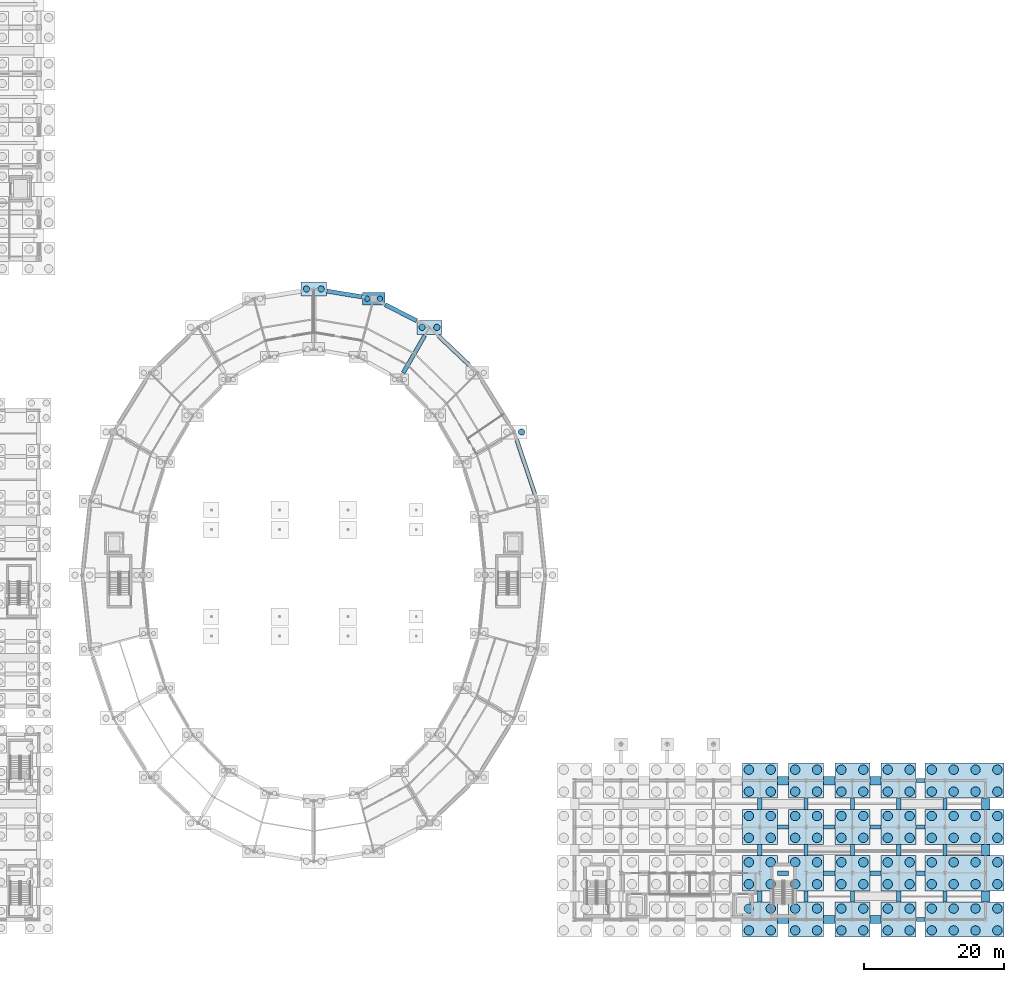
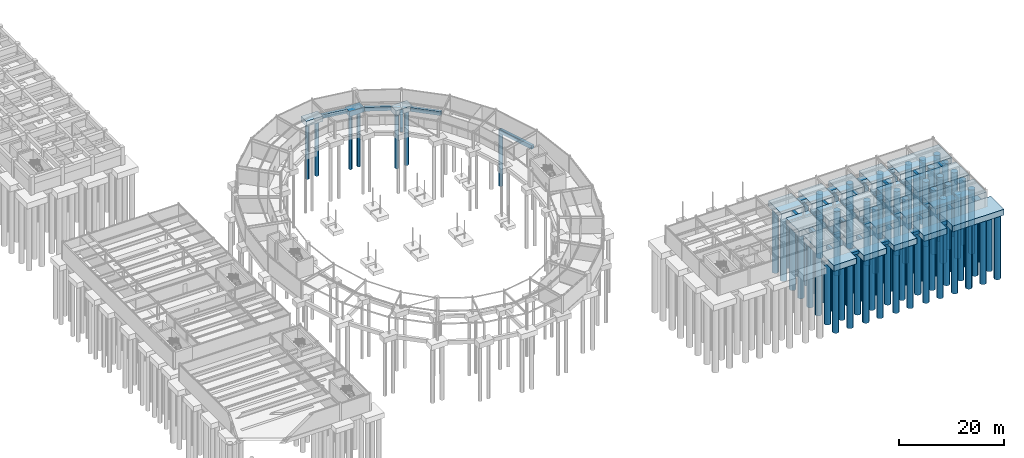
# One storey, part 6 of 58: 103 piles, 62 footings.
"""IFC4 building model written with IfcOpenShell, lengths in metres."""

from ifc_helpers import new_model, si_unit, direction, frame, origin, origin_2d, place, context, subcontext, project, spatial, rectangle, circle, extrude, material, material_profile, profile_set, type_object, element, save


model = new_model("IFC4")

# Units and contexts
model_context = context("Model", 3, precision=1e-05, world=origin(), true_north=direction((0.0, 1.0)))
body_context = subcontext(model_context, "Body", "Model", "MODEL_VIEW")
ifc_project = project(units=[si_unit("LENGTHUNIT", "METRE"), si_unit("AREAUNIT", "SQUARE_METRE"), si_unit("VOLUMEUNIT", "CUBIC_METRE"), si_unit("PLANEANGLEUNIT", "RADIAN"), si_unit("MASSUNIT", "GRAM", prefix="KILO")], contexts=[model_context])

# Site, building, storey
site_placement = place(None, origin())
site = spatial("IfcSite", under=ifc_project, at=site_placement, CompositionType="ELEMENT")
building_placement = place(site_placement, origin())
building = spatial("IfcBuilding", under=site, at=building_placement, Name="Karori Crest Natural Sciences Institute", CompositionType="ELEMENT")
storey_placement = place(building_placement, frame((0.0, 0.0, -4.199951171875)))
storey = spatial("IfcBuildingStorey", under=building, at=storey_placement, Name="B1", CompositionType="ELEMENT", Elevation=-4.199951171875)

# Footings
ifc_material = material(Name="Concrete 40 MPa", Category="concrete")
footing_type_1 = type_object("IfcFootingType", Name="FT-06", PredefinedType="PILE_CAP", material=ifc_material)
for number, where, z_axis, x_axis, name in (
    (1, (159.199951171875, 0.800048828125, -1.35009765625), (0.0, 0.0, 1.0), (1.0, 0.0, 0.0), "Pile cap PC-0188"),
    (2, (159.199951171875, 7.39990234375, -1.35009765625), (0.0, 0.0, 1.0), (1.0, 0.0, 0.0), "Pile cap PC-0189"),
    (3, (159.199951171875, 14.0, -1.35009765625), (0.0, 0.0, 1.0), (1.0, 0.0, 0.0), "Pile cap PC-0190"),
    (4, (159.199951171875, 20.60009765625, -1.35009765625), (0.0, 0.0, 1.0), (1.0, 0.0, 0.0), "Pile cap PC-0191"),
):
    element("IfcFooting", number, at=place(storey_placement, frame(where, z_axis=z_axis, x_axis=x_axis)), inside=storey, type_object=footing_type_1, Name=name, PredefinedType="PILE_CAP", context=body_context, shape_type="SweptSolid", body=[
        extrude(rectangle(XDim=11.239990234375, YDim=5.0, at=origin_2d()), origin(), (0.0, 0.0, 1.0), 1.35009765625),
    ])
footing_type_2 = type_object("IfcFootingType", Name="FT-07", PredefinedType="PILE_CAP", material=ifc_material)
footing_1_placement = place(storey_placement, frame((74.94091796875, 89.309814453125, -1.2001953125), z_axis=(0.0, 0.0, 1.0), x_axis=(1.0, 0.0, 0.0)))
element("IfcFooting", 5, at=footing_1_placement, inside=storey, type_object=footing_type_2, Name="Pile cap PC-0011", PredefinedType="PILE_CAP", context=body_context, shape_type="SweptSolid", body=[
    extrude(rectangle(XDim=3.199951171875, YDim=1.800048828125, at=origin_2d()), origin(), (0.0, 0.0, 1.0), 1.199951171875),
])
footing_type_3 = type_object("IfcFootingType", Name="FT-08", PredefinedType="PILE_CAP", material=ifc_material)
for number, where, z_axis, x_axis, name in (
    (6, (82.89990234375, 85.23388671875, -1.2001953125), (0.0, 0.0, 1.0), (1.0, 0.0, 0.0), "Pile cap PC-0009"),
    (7, (66.39990234375, 90.699951171875, -1.2001953125), (0.0, 0.0, 1.0), (1.0, 0.0, 0.0), "Pile cap PC-0013"),
):
    element("IfcFooting", number, at=place(storey_placement, frame(where, z_axis=z_axis, x_axis=x_axis)), inside=storey, type_object=footing_type_3, Name=name, PredefinedType="PILE_CAP", context=body_context, shape_type="SweptSolid", body=[
        extrude(rectangle(XDim=3.60009765625, YDim=2.0, at=origin_2d()), origin(), (0.0, 0.0, 1.0), 1.199951171875),
    ])
footing_type_4 = type_object("IfcFootingType", Name="FT-12", PredefinedType="PILE_CAP", material=ifc_material)
for number, where, z_axis, x_axis, name in (
    (8, (130.0, 0.800048828125, -1.35009765625), (0.0, 0.0, 1.0), (1.0, 0.0, 0.0), "Pile cap PC-0172"),
    (9, (130.0, 7.39990234375, -1.35009765625), (0.0, 0.0, 1.0), (1.0, 0.0, 0.0), "Pile cap PC-0173"),
    (10, (130.0, 14.0, -1.35009765625), (0.0, 0.0, 1.0), (1.0, 0.0, 0.0), "Pile cap PC-0174"),
    (11, (130.0, 20.60009765625, -1.35009765625), (0.0, 0.0, 1.0), (1.0, 0.0, 0.0), "Pile cap PC-0175"),
    (12, (136.60009765625, 0.800048828125, -1.35009765625), (0.0, 0.0, 1.0), (1.0, 0.0, 0.0), "Pile cap PC-0176"),
    (13, (136.60009765625, 7.39990234375, -1.35009765625), (0.0, 0.0, 1.0), (1.0, 0.0, 0.0), "Pile cap PC-0177"),
    (14, (136.60009765625, 14.0, -1.35009765625), (0.0, 0.0, 1.0), (1.0, 0.0, 0.0), "Pile cap PC-0178"),
    (15, (136.60009765625, 20.60009765625, -1.35009765625), (0.0, 0.0, 1.0), (1.0, 0.0, 0.0), "Pile cap PC-0179"),
    (16, (143.199951171875, 0.800048828125, -1.35009765625), (0.0, 0.0, 1.0), (1.0, 0.0, 0.0), "Pile cap PC-0180"),
    (17, (143.199951171875, 7.39990234375, -1.35009765625), (0.0, 0.0, 1.0), (1.0, 0.0, 0.0), "Pile cap PC-0181"),
    (18, (143.199951171875, 14.0, -1.35009765625), (0.0, 0.0, 1.0), (1.0, 0.0, 0.0), "Pile cap PC-0182"),
    (19, (143.199951171875, 20.60009765625, -1.35009765625), (0.0, 0.0, 1.0), (1.0, 0.0, 0.0), "Pile cap PC-0183"),
    (20, (149.800048828125, 0.800048828125, -1.35009765625), (0.0, 0.0, 1.0), (1.0, 0.0, 0.0), "Pile cap PC-0184"),
    (21, (149.800048828125, 7.39990234375, -1.35009765625), (0.0, 0.0, 1.0), (1.0, 0.0, 0.0), "Pile cap PC-0185"),
    (22, (149.800048828125, 14.0, -1.35009765625), (0.0, 0.0, 1.0), (1.0, 0.0, 0.0), "Pile cap PC-0186"),
    (23, (149.800048828125, 20.60009765625, -1.35009765625), (0.0, 0.0, 1.0), (1.0, 0.0, 0.0), "Pile cap PC-0187"),
):
    element("IfcFooting", number, at=place(storey_placement, frame(where, z_axis=z_axis, x_axis=x_axis)), inside=storey, type_object=footing_type_4, Name=name, PredefinedType="PILE_CAP", context=body_context, shape_type="SweptSolid", body=[
        extrude(rectangle(XDim=5.0, YDim=5.0, at=origin_2d()), origin(), (0.0, 0.0, 1.0), 1.35009765625),
    ])
footing_type_5 = type_object("IfcFootingType", Name="FT-16", PredefinedType="FOOTING_BEAM", material=ifc_material)
footing_2_placement = place(storey_placement, frame((96.64404296875, 65.329833984375, -0.89990234375), z_axis=(0.0, 0.0, 1.0), x_axis=(-0.317678692677, 0.948198422388, 0.0)))
element("IfcFooting", 24, at=footing_2_placement, inside=storey, type_object=footing_type_5, Name="Ground beam FB-0004", PredefinedType="FOOTING_BEAM", context=body_context, shape_type="SweptSolid", body=[
    extrude(rectangle(XDim=8.13720703125, YDim=0.60009765625, at=origin_2d()), origin(), (0.0, 0.0, 1.0), 0.89990234375),
])
footing_3_placement = place(storey_placement, frame((86.3701171875, 81.94189453125, -0.89990234375), z_axis=(0.0, 0.0, 1.0), x_axis=(-0.725475281268, 0.688248222859, 0.0)))
element("IfcFooting", 25, at=footing_3_placement, inside=storey, type_object=footing_type_5, Name="Ground beam FB-0009", PredefinedType="FOOTING_BEAM", context=body_context, shape_type="SweptSolid", body=[
    extrude(rectangle(XDim=5.996826171875, YDim=0.60009765625, at=origin_2d()), origin(), (0.0, 0.0, 1.0), 0.89990234375),
])
footing_4_placement = place(storey_placement, frame((78.820556640625, 87.322998046875, -0.89990234375), z_axis=(0.0, 0.0, 1.0), x_axis=(-0.890068851465, 0.455826106813, 0.0)))
element("IfcFooting", 26, at=footing_4_placement, inside=storey, type_object=footing_type_5, Name="Ground beam FB-0011", PredefinedType="FOOTING_BEAM", context=body_context, shape_type="SweptSolid", body=[
    extrude(rectangle(XDim=5.024169921875, YDim=0.60009765625, at=origin_2d()), origin(), (0.0, 0.0, 1.0), 0.89990234375),
])
footing_5_placement = place(storey_placement, frame((80.6923828125, 81.409912109375, -0.89990234375), z_axis=(0.0, 0.0, 1.0), x_axis=(0.500001511499, 0.866024531118, 0.0)))
element("IfcFooting", 27, at=footing_5_placement, inside=storey, type_object=footing_type_5, Name="Ground beam FB-0013", PredefinedType="FOOTING_BEAM", context=body_context, shape_type="SweptSolid", body=[
    extrude(rectangle(XDim=6.14306640625, YDim=0.60009765625, at=origin_2d()), origin(), (0.0, 0.0, 1.0), 0.89990234375),
])
footing_6_placement = place(storey_placement, frame((70.7705078125, 89.988525390625, -0.89990234375), z_axis=(0.0, 0.0, 1.0), x_axis=(-0.987010951028, 0.160652987993, 0.0)))
element("IfcFooting", 28, at=footing_6_placement, inside=storey, type_object=footing_type_5, Name="Ground beam FB-0014", PredefinedType="FOOTING_BEAM", context=body_context, shape_type="SweptSolid", body=[
    extrude(rectangle(XDim=5.09228515625, YDim=0.60009765625, at=origin_2d()), origin(), (0.0, 0.0, 1.0), 0.89990234375),
])
for number, where, z_axis, x_axis, name in (
    (29, (130.0, 4.10009765625, -0.89990234375), (0.0, 0.0, 1.0), (0.0, 1.0, 0.0), "Ground beam FB-0197"),
    (30, (133.300048828125, 7.39990234375, -0.89990234375), (0.0, 0.0, 1.0), (1.0, 0.0, 0.0), "Ground beam FB-0198"),
):
    element("IfcFooting", number, at=place(storey_placement, frame(where, z_axis=z_axis, x_axis=x_axis)), inside=storey, type_object=footing_type_5, Name=name, PredefinedType="FOOTING_BEAM", context=body_context, shape_type="SweptSolid", body=[
        extrude(rectangle(XDim=1.583984375, YDim=0.60009765625, at=origin_2d()), origin(), (0.0, 0.0, 1.0), 0.89990234375),
    ])
footing_7_placement = place(storey_placement, frame((130.0, 10.699951171875, -0.89990234375), z_axis=(0.0, 0.0, 1.0), x_axis=(0.0, 1.0, 0.0)))
element("IfcFooting", 31, at=footing_7_placement, inside=storey, type_object=footing_type_5, Name="Ground beam FB-0199", PredefinedType="FOOTING_BEAM", context=body_context, shape_type="SweptSolid", body=[
    extrude(rectangle(XDim=1.56396484375, YDim=0.60009765625, at=origin_2d()), origin(), (0.0, 0.0, 1.0), 0.89990234375),
])
footing_8_placement = place(storey_placement, frame((133.300048828125, 14.0, -0.89990234375), z_axis=(0.0, 0.0, 1.0), x_axis=(1.0, 0.0, 0.0)))
element("IfcFooting", 32, at=footing_8_placement, inside=storey, type_object=footing_type_5, Name="Ground beam FB-0200", PredefinedType="FOOTING_BEAM", context=body_context, shape_type="SweptSolid", body=[
    extrude(rectangle(XDim=1.583984375, YDim=0.60009765625, at=origin_2d()), origin(), (0.0, 0.0, 1.0), 0.89990234375),
])
footing_9_placement = place(storey_placement, frame((130.0, 17.300048828125, -0.89990234375), z_axis=(0.0, 0.0, 1.0), x_axis=(0.0, 1.0, 0.0)))
element("IfcFooting", 33, at=footing_9_placement, inside=storey, type_object=footing_type_5, Name="Ground beam FB-0201", PredefinedType="FOOTING_BEAM", context=body_context, shape_type="SweptSolid", body=[
    extrude(rectangle(XDim=1.56396484375, YDim=0.60009765625, at=origin_2d()), origin(), (0.0, 0.0, 1.0), 0.89990234375),
])
for number, where, z_axis, x_axis, name in (
    (34, (136.60009765625, 4.10009765625, -0.89990234375), (0.0, 0.0, 1.0), (0.0, 1.0, 0.0), "Ground beam FB-0202"),
    (35, (139.89990234375, 7.39990234375, -0.89990234375), (0.0, 0.0, 1.0), (1.0, 0.0, 0.0), "Ground beam FB-0203"),
):
    element("IfcFooting", number, at=place(storey_placement, frame(where, z_axis=z_axis, x_axis=x_axis)), inside=storey, type_object=footing_type_5, Name=name, PredefinedType="FOOTING_BEAM", context=body_context, shape_type="SweptSolid", body=[
        extrude(rectangle(XDim=1.583984375, YDim=0.60009765625, at=origin_2d()), origin(), (0.0, 0.0, 1.0), 0.89990234375),
    ])
footing_10_placement = place(storey_placement, frame((136.60009765625, 10.699951171875, -0.89990234375), z_axis=(0.0, 0.0, 1.0), x_axis=(0.0, 1.0, 0.0)))
element("IfcFooting", 36, at=footing_10_placement, inside=storey, type_object=footing_type_5, Name="Ground beam FB-0204", PredefinedType="FOOTING_BEAM", context=body_context, shape_type="SweptSolid", body=[
    extrude(rectangle(XDim=1.56396484375, YDim=0.60009765625, at=origin_2d()), origin(), (0.0, 0.0, 1.0), 0.89990234375),
])
footing_11_placement = place(storey_placement, frame((139.89990234375, 14.0, -0.89990234375), z_axis=(0.0, 0.0, 1.0), x_axis=(1.0, 0.0, 0.0)))
element("IfcFooting", 37, at=footing_11_placement, inside=storey, type_object=footing_type_5, Name="Ground beam FB-0205", PredefinedType="FOOTING_BEAM", context=body_context, shape_type="SweptSolid", body=[
    extrude(rectangle(XDim=1.583984375, YDim=0.60009765625, at=origin_2d()), origin(), (0.0, 0.0, 1.0), 0.89990234375),
])
footing_12_placement = place(storey_placement, frame((136.60009765625, 17.300048828125, -0.89990234375), z_axis=(0.0, 0.0, 1.0), x_axis=(0.0, 1.0, 0.0)))
element("IfcFooting", 38, at=footing_12_placement, inside=storey, type_object=footing_type_5, Name="Ground beam FB-0206", PredefinedType="FOOTING_BEAM", context=body_context, shape_type="SweptSolid", body=[
    extrude(rectangle(XDim=1.56396484375, YDim=0.60009765625, at=origin_2d()), origin(), (0.0, 0.0, 1.0), 0.89990234375),
])
for number, where, z_axis, x_axis, name in (
    (39, (143.199951171875, 4.10009765625, -0.89990234375), (0.0, 0.0, 1.0), (0.0, 1.0, 0.0), "Ground beam FB-0207"),
    (40, (146.5, 7.39990234375, -0.89990234375), (0.0, 0.0, 1.0), (1.0, 0.0, 0.0), "Ground beam FB-0208"),
):
    element("IfcFooting", number, at=place(storey_placement, frame(where, z_axis=z_axis, x_axis=x_axis)), inside=storey, type_object=footing_type_5, Name=name, PredefinedType="FOOTING_BEAM", context=body_context, shape_type="SweptSolid", body=[
        extrude(rectangle(XDim=1.583984375, YDim=0.60009765625, at=origin_2d()), origin(), (0.0, 0.0, 1.0), 0.89990234375),
    ])
footing_13_placement = place(storey_placement, frame((143.199951171875, 10.699951171875, -0.89990234375), z_axis=(0.0, 0.0, 1.0), x_axis=(0.0, 1.0, 0.0)))
element("IfcFooting", 41, at=footing_13_placement, inside=storey, type_object=footing_type_5, Name="Ground beam FB-0209", PredefinedType="FOOTING_BEAM", context=body_context, shape_type="SweptSolid", body=[
    extrude(rectangle(XDim=1.56396484375, YDim=0.60009765625, at=origin_2d()), origin(), (0.0, 0.0, 1.0), 0.89990234375),
])
footing_14_placement = place(storey_placement, frame((146.5, 14.0, -0.89990234375), z_axis=(0.0, 0.0, 1.0), x_axis=(1.0, 0.0, 0.0)))
element("IfcFooting", 42, at=footing_14_placement, inside=storey, type_object=footing_type_5, Name="Ground beam FB-0210", PredefinedType="FOOTING_BEAM", context=body_context, shape_type="SweptSolid", body=[
    extrude(rectangle(XDim=1.583984375, YDim=0.60009765625, at=origin_2d()), origin(), (0.0, 0.0, 1.0), 0.89990234375),
])
footing_15_placement = place(storey_placement, frame((143.199951171875, 17.300048828125, -0.89990234375), z_axis=(0.0, 0.0, 1.0), x_axis=(0.0, 1.0, 0.0)))
element("IfcFooting", 43, at=footing_15_placement, inside=storey, type_object=footing_type_5, Name="Ground beam FB-0211", PredefinedType="FOOTING_BEAM", context=body_context, shape_type="SweptSolid", body=[
    extrude(rectangle(XDim=1.56396484375, YDim=0.60009765625, at=origin_2d()), origin(), (0.0, 0.0, 1.0), 0.89990234375),
])
footing_16_placement = place(storey_placement, frame((152.93994140625, 0.800048828125, -0.89990234375), z_axis=(0.0, 0.0, 1.0), x_axis=(1.0, 0.0, 0.0)))
element("IfcFooting", 44, at=footing_16_placement, inside=storey, type_object=footing_type_5, Name="Ground beam FB-0212", PredefinedType="FOOTING_BEAM", context=body_context, shape_type="SweptSolid", body=[
    extrude(rectangle(XDim=1.263916015625, YDim=0.60009765625, at=origin_2d()), origin(), (0.0, 0.0, 1.0), 0.89990234375),
])
footing_17_placement = place(storey_placement, frame((149.800048828125, 4.10009765625, -0.89990234375), z_axis=(0.0, 0.0, 1.0), x_axis=(0.0, 1.0, 0.0)))
element("IfcFooting", 45, at=footing_17_placement, inside=storey, type_object=footing_type_5, Name="Ground beam FB-0213", PredefinedType="FOOTING_BEAM", context=body_context, shape_type="SweptSolid", body=[
    extrude(rectangle(XDim=1.583984375, YDim=0.60009765625, at=origin_2d()), origin(), (0.0, 0.0, 1.0), 0.89990234375),
])
footing_18_placement = place(storey_placement, frame((152.93994140625, 7.39990234375, -0.89990234375), z_axis=(0.0, 0.0, 1.0), x_axis=(1.0, 0.0, 0.0)))
element("IfcFooting", 46, at=footing_18_placement, inside=storey, type_object=footing_type_5, Name="Ground beam FB-0214", PredefinedType="FOOTING_BEAM", context=body_context, shape_type="SweptSolid", body=[
    extrude(rectangle(XDim=1.263916015625, YDim=0.60009765625, at=origin_2d()), origin(), (0.0, 0.0, 1.0), 0.89990234375),
])
footing_19_placement = place(storey_placement, frame((149.800048828125, 10.699951171875, -0.89990234375), z_axis=(0.0, 0.0, 1.0), x_axis=(0.0, 1.0, 0.0)))
element("IfcFooting", 47, at=footing_19_placement, inside=storey, type_object=footing_type_5, Name="Ground beam FB-0215", PredefinedType="FOOTING_BEAM", context=body_context, shape_type="SweptSolid", body=[
    extrude(rectangle(XDim=1.56396484375, YDim=0.60009765625, at=origin_2d()), origin(), (0.0, 0.0, 1.0), 0.89990234375),
])
footing_20_placement = place(storey_placement, frame((152.93994140625, 14.0, -0.89990234375), z_axis=(0.0, 0.0, 1.0), x_axis=(1.0, 0.0, 0.0)))
element("IfcFooting", 48, at=footing_20_placement, inside=storey, type_object=footing_type_5, Name="Ground beam FB-0216", PredefinedType="FOOTING_BEAM", context=body_context, shape_type="SweptSolid", body=[
    extrude(rectangle(XDim=1.263916015625, YDim=0.60009765625, at=origin_2d()), origin(), (0.0, 0.0, 1.0), 0.89990234375),
])
footing_21_placement = place(storey_placement, frame((149.800048828125, 17.300048828125, -0.89990234375), z_axis=(0.0, 0.0, 1.0), x_axis=(0.0, 1.0, 0.0)))
element("IfcFooting", 49, at=footing_21_placement, inside=storey, type_object=footing_type_5, Name="Ground beam FB-0217", PredefinedType="FOOTING_BEAM", context=body_context, shape_type="SweptSolid", body=[
    extrude(rectangle(XDim=1.56396484375, YDim=0.60009765625, at=origin_2d()), origin(), (0.0, 0.0, 1.0), 0.89990234375),
])
footing_22_placement = place(storey_placement, frame((152.93994140625, 20.60009765625, -0.89990234375), z_axis=(0.0, 0.0, 1.0), x_axis=(1.0, 0.0, 0.0)))
element("IfcFooting", 50, at=footing_22_placement, inside=storey, type_object=footing_type_5, Name="Ground beam FB-0218", PredefinedType="FOOTING_BEAM", context=body_context, shape_type="SweptSolid", body=[
    extrude(rectangle(XDim=1.263916015625, YDim=0.60009765625, at=origin_2d()), origin(), (0.0, 0.0, 1.0), 0.89990234375),
])
footing_23_placement = place(storey_placement, frame((156.39990234375, 4.10009765625, -0.89990234375), z_axis=(0.0, 0.0, 1.0), x_axis=(0.0, 1.0, 0.0)))
element("IfcFooting", 51, at=footing_23_placement, inside=storey, type_object=footing_type_5, Name="Ground beam FB-0219", PredefinedType="FOOTING_BEAM", context=body_context, shape_type="SweptSolid", body=[
    extrude(rectangle(XDim=1.583984375, YDim=0.60009765625, at=origin_2d()), origin(), (0.0, 0.0, 1.0), 0.89990234375),
])
for number, where, z_axis, x_axis, name in (
    (52, (156.39990234375, 10.699951171875, -0.89990234375), (0.0, 0.0, 1.0), (0.0, 1.0, 0.0), "Ground beam FB-0220"),
    (53, (156.39990234375, 17.300048828125, -0.89990234375), (0.0, 0.0, 1.0), (0.0, 1.0, 0.0), "Ground beam FB-0221"),
):
    element("IfcFooting", number, at=place(storey_placement, frame(where, z_axis=z_axis, x_axis=x_axis)), inside=storey, type_object=footing_type_5, Name=name, PredefinedType="FOOTING_BEAM", context=body_context, shape_type="SweptSolid", body=[
        extrude(rectangle(XDim=1.56396484375, YDim=0.60009765625, at=origin_2d()), origin(), (0.0, 0.0, 1.0), 0.89990234375),
    ])
footing_type_6 = type_object("IfcFootingType", Name="FT-19", PredefinedType="STRIP_FOOTING", material=ifc_material)
for number, where, z_axis, x_axis, name in (
    (54, (133.300048828125, 0.800048828125, -0.7001953125), (0.0, 0.0, 1.0), (1.0, 0.0, 0.0), "Strip footing SF-0005"),
    (55, (139.89990234375, 0.800048828125, -0.7001953125), (0.0, 0.0, 1.0), (1.0, 0.0, 0.0), "Strip footing SF-0006"),
    (56, (146.5, 0.800048828125, -0.7001953125), (0.0, 0.0, 1.0), (1.0, 0.0, 0.0), "Strip footing SF-0007"),
    (57, (133.300048828125, 20.60009765625, -0.7001953125), (0.0, 0.0, 1.0), (1.0, 0.0, 0.0), "Strip footing SF-0012"),
    (58, (139.89990234375, 20.60009765625, -0.7001953125), (0.0, 0.0, 1.0), (1.0, 0.0, 0.0), "Strip footing SF-0013"),
    (59, (146.5, 20.60009765625, -0.7001953125), (0.0, 0.0, 1.0), (1.0, 0.0, 0.0), "Strip footing SF-0014"),
    (60, (162.199951171875, 4.10009765625, -0.7001953125), (0.0, 0.0, 1.0), (0.0, 1.0, 0.0), "Strip footing SF-0018"),
):
    element("IfcFooting", number, at=place(storey_placement, frame(where, z_axis=z_axis, x_axis=x_axis)), inside=storey, type_object=footing_type_6, Name=name, PredefinedType="STRIP_FOOTING", context=body_context, shape_type="SweptSolid", body=[
        extrude(rectangle(XDim=1.583984375, YDim=1.199951171875, at=origin_2d()), origin(), (0.0, 0.0, 1.0), 0.699951171875),
    ])
for number, where, z_axis, x_axis, name in (
    (61, (162.199951171875, 10.699951171875, -0.7001953125), (0.0, 0.0, 1.0), (0.0, 1.0, 0.0), "Strip footing SF-0019"),
    (62, (162.199951171875, 17.300048828125, -0.7001953125), (0.0, 0.0, 1.0), (0.0, 1.0, 0.0), "Strip footing SF-0020"),
):
    element("IfcFooting", number, at=place(storey_placement, frame(where, z_axis=z_axis, x_axis=x_axis)), inside=storey, type_object=footing_type_6, Name=name, PredefinedType="STRIP_FOOTING", context=body_context, shape_type="SweptSolid", body=[
        extrude(rectangle(XDim=1.56396484375, YDim=1.199951171875, at=origin_2d()), origin(), (0.0, 0.0, 1.0), 0.699951171875),
    ])

# Piles
ifc_material_profile_1 = material_profile(ifc_material, circle(Radius=0.375, at=origin_2d()), Name="PILE750")
ifc_profile_set_1 = profile_set([ifc_material_profile_1], Name="Concrete 40 MPa")
pile_type_1 = type_object("IfcPileType", Name="PT-02", PredefinedType="BORED", material=ifc_profile_set_1)
for number, where, z_axis, x_axis, name in (
    (63, (74.041015625, 89.309814453125, -1.10009765625), (0.0, 0.0, -1.0), (1.0, 0.0, 0.0), "Bored pile PL-0021"),
    (64, (75.841064453125, 89.309814453125, -1.10009765625), (0.0, 0.0, -1.0), (1.0, 0.0, 0.0), "Bored pile PL-0022"),
):
    element("IfcPile", number, at=place(storey_placement, frame(where, z_axis=z_axis, x_axis=x_axis)), inside=storey, type_object=pile_type_1, Name=name, PredefinedType="BORED", context=body_context, shape_type="SweptSolid", body=[
        extrude(circle(Radius=0.375, at=origin_2d()), origin(), (0.0, 0.0, 1.0), 12.89990234375),
    ])
ifc_material_profile_2 = material_profile(ifc_material, circle(Radius=0.449951171875, at=origin_2d()), Name="PILE900")
ifc_profile_set_2 = profile_set([ifc_material_profile_2], Name="Concrete 40 MPa")
pile_type_2 = type_object("IfcPileType", Name="PT-03", PredefinedType="BORED", material=ifc_profile_set_2)
for number, where, z_axis, x_axis, name in (
    (65, (96.02880859375, 70.300048828125, -1.10009765625), (0.0, 0.0, -1.0), (1.0, 0.0, 0.0), "Bored pile PL-0010"),
    (66, (81.85009765625, 85.23388671875, -1.10009765625), (0.0, 0.0, -1.0), (1.0, 0.0, 0.0), "Bored pile PL-0017"),
    (67, (83.949951171875, 85.23388671875, -1.10009765625), (0.0, 0.0, -1.0), (1.0, 0.0, 0.0), "Bored pile PL-0018"),
    (68, (65.35009765625, 90.699951171875, -1.10009765625), (0.0, 0.0, -1.0), (1.0, 0.0, 0.0), "Bored pile PL-0025"),
    (69, (67.449951171875, 90.699951171875, -1.10009765625), (0.0, 0.0, -1.0), (1.0, 0.0, 0.0), "Bored pile PL-0026"),
):
    element("IfcPile", number, at=place(storey_placement, frame(where, z_axis=z_axis, x_axis=x_axis)), inside=storey, type_object=pile_type_2, Name=name, PredefinedType="BORED", context=body_context, shape_type="SweptSolid", body=[
        extrude(circle(Radius=0.449951171875, at=origin_2d()), origin(), (0.0, 0.0, 1.0), 12.89990234375),
    ])
ifc_material_profile_3 = material_profile(ifc_material, circle(Radius=0.675048828125, at=origin_2d()), Name="PILE1350")
ifc_profile_set_3 = profile_set([ifc_material_profile_3], Name="Concrete 40 MPa")
pile_type_3 = type_object("IfcPileType", Name="PT-06", PredefinedType="BORED", material=ifc_profile_set_3)
for number, where, z_axis, x_axis, name in (
    (70, (128.43994140625, -0.760009765625, -1.25), (0.0, 0.0, -1.0), (1.0, 0.0, 0.0), "Bored pile PL-0525"),
    (71, (131.56005859375, -0.760009765625, -1.25), (0.0, 0.0, -1.0), (1.0, 0.0, 0.0), "Bored pile PL-0526"),
    (72, (128.43994140625, 2.360107421875, -1.25), (0.0, 0.0, -1.0), (1.0, 0.0, 0.0), "Bored pile PL-0527"),
    (73, (131.56005859375, 2.360107421875, -1.25), (0.0, 0.0, -1.0), (1.0, 0.0, 0.0), "Bored pile PL-0528"),
    (74, (128.43994140625, 5.840087890625, -1.25), (0.0, 0.0, -1.0), (1.0, 0.0, 0.0), "Bored pile PL-0529"),
    (75, (131.56005859375, 5.840087890625, -1.25), (0.0, 0.0, -1.0), (1.0, 0.0, 0.0), "Bored pile PL-0530"),
    (76, (128.43994140625, 8.9599609375, -1.25), (0.0, 0.0, -1.0), (1.0, 0.0, 0.0), "Bored pile PL-0531"),
    (77, (131.56005859375, 8.9599609375, -1.25), (0.0, 0.0, -1.0), (1.0, 0.0, 0.0), "Bored pile PL-0532"),
    (78, (128.43994140625, 12.43994140625, -1.25), (0.0, 0.0, -1.0), (1.0, 0.0, 0.0), "Bored pile PL-0533"),
    (79, (131.56005859375, 12.43994140625, -1.25), (0.0, 0.0, -1.0), (1.0, 0.0, 0.0), "Bored pile PL-0534"),
    (80, (128.43994140625, 15.56005859375, -1.25), (0.0, 0.0, -1.0), (1.0, 0.0, 0.0), "Bored pile PL-0535"),
    (81, (131.56005859375, 15.56005859375, -1.25), (0.0, 0.0, -1.0), (1.0, 0.0, 0.0), "Bored pile PL-0536"),
    (82, (128.43994140625, 19.0400390625, -1.25), (0.0, 0.0, -1.0), (1.0, 0.0, 0.0), "Bored pile PL-0537"),
    (83, (131.56005859375, 19.0400390625, -1.25), (0.0, 0.0, -1.0), (1.0, 0.0, 0.0), "Bored pile PL-0538"),
    (84, (128.43994140625, 22.159912109375, -1.25), (0.0, 0.0, -1.0), (1.0, 0.0, 0.0), "Bored pile PL-0539"),
    (85, (131.56005859375, 22.159912109375, -1.25), (0.0, 0.0, -1.0), (1.0, 0.0, 0.0), "Bored pile PL-0540"),
    (86, (135.0400390625, -0.760009765625, -1.25), (0.0, 0.0, -1.0), (1.0, 0.0, 0.0), "Bored pile PL-0541"),
    (87, (138.159912109375, -0.760009765625, -1.25), (0.0, 0.0, -1.0), (1.0, 0.0, 0.0), "Bored pile PL-0542"),
    (88, (135.0400390625, 2.360107421875, -1.25), (0.0, 0.0, -1.0), (1.0, 0.0, 0.0), "Bored pile PL-0543"),
    (89, (138.159912109375, 2.360107421875, -1.25), (0.0, 0.0, -1.0), (1.0, 0.0, 0.0), "Bored pile PL-0544"),
    (90, (135.0400390625, 5.840087890625, -1.25), (0.0, 0.0, -1.0), (1.0, 0.0, 0.0), "Bored pile PL-0545"),
    (91, (138.159912109375, 5.840087890625, -1.25), (0.0, 0.0, -1.0), (1.0, 0.0, 0.0), "Bored pile PL-0546"),
    (92, (135.0400390625, 8.9599609375, -1.25), (0.0, 0.0, -1.0), (1.0, 0.0, 0.0), "Bored pile PL-0547"),
    (93, (138.159912109375, 8.9599609375, -1.25), (0.0, 0.0, -1.0), (1.0, 0.0, 0.0), "Bored pile PL-0548"),
    (94, (135.0400390625, 12.43994140625, -1.25), (0.0, 0.0, -1.0), (1.0, 0.0, 0.0), "Bored pile PL-0549"),
    (95, (138.159912109375, 12.43994140625, -1.25), (0.0, 0.0, -1.0), (1.0, 0.0, 0.0), "Bored pile PL-0550"),
    (96, (135.0400390625, 15.56005859375, -1.25), (0.0, 0.0, -1.0), (1.0, 0.0, 0.0), "Bored pile PL-0551"),
    (97, (138.159912109375, 15.56005859375, -1.25), (0.0, 0.0, -1.0), (1.0, 0.0, 0.0), "Bored pile PL-0552"),
    (98, (135.0400390625, 19.0400390625, -1.25), (0.0, 0.0, -1.0), (1.0, 0.0, 0.0), "Bored pile PL-0553"),
    (99, (138.159912109375, 19.0400390625, -1.25), (0.0, 0.0, -1.0), (1.0, 0.0, 0.0), "Bored pile PL-0554"),
    (100, (135.0400390625, 22.159912109375, -1.25), (0.0, 0.0, -1.0), (1.0, 0.0, 0.0), "Bored pile PL-0555"),
    (101, (138.159912109375, 22.159912109375, -1.25), (0.0, 0.0, -1.0), (1.0, 0.0, 0.0), "Bored pile PL-0556"),
    (102, (141.639892578125, -0.760009765625, -1.25), (0.0, 0.0, -1.0), (1.0, 0.0, 0.0), "Bored pile PL-0557"),
    (103, (144.760009765625, -0.760009765625, -1.25), (0.0, 0.0, -1.0), (1.0, 0.0, 0.0), "Bored pile PL-0558"),
    (104, (141.639892578125, 2.360107421875, -1.25), (0.0, 0.0, -1.0), (1.0, 0.0, 0.0), "Bored pile PL-0559"),
    (105, (144.760009765625, 2.360107421875, -1.25), (0.0, 0.0, -1.0), (1.0, 0.0, 0.0), "Bored pile PL-0560"),
    (106, (141.639892578125, 5.840087890625, -1.25), (0.0, 0.0, -1.0), (1.0, 0.0, 0.0), "Bored pile PL-0561"),
    (107, (144.760009765625, 5.840087890625, -1.25), (0.0, 0.0, -1.0), (1.0, 0.0, 0.0), "Bored pile PL-0562"),
    (108, (141.639892578125, 8.9599609375, -1.25), (0.0, 0.0, -1.0), (1.0, 0.0, 0.0), "Bored pile PL-0563"),
    (109, (144.760009765625, 8.9599609375, -1.25), (0.0, 0.0, -1.0), (1.0, 0.0, 0.0), "Bored pile PL-0564"),
    (110, (141.639892578125, 12.43994140625, -1.25), (0.0, 0.0, -1.0), (1.0, 0.0, 0.0), "Bored pile PL-0565"),
    (111, (144.760009765625, 12.43994140625, -1.25), (0.0, 0.0, -1.0), (1.0, 0.0, 0.0), "Bored pile PL-0566"),
    (112, (141.639892578125, 15.56005859375, -1.25), (0.0, 0.0, -1.0), (1.0, 0.0, 0.0), "Bored pile PL-0567"),
    (113, (144.760009765625, 15.56005859375, -1.25), (0.0, 0.0, -1.0), (1.0, 0.0, 0.0), "Bored pile PL-0568"),
    (114, (141.639892578125, 19.0400390625, -1.25), (0.0, 0.0, -1.0), (1.0, 0.0, 0.0), "Bored pile PL-0569"),
    (115, (144.760009765625, 19.0400390625, -1.25), (0.0, 0.0, -1.0), (1.0, 0.0, 0.0), "Bored pile PL-0570"),
    (116, (141.639892578125, 22.159912109375, -1.25), (0.0, 0.0, -1.0), (1.0, 0.0, 0.0), "Bored pile PL-0571"),
    (117, (144.760009765625, 22.159912109375, -1.25), (0.0, 0.0, -1.0), (1.0, 0.0, 0.0), "Bored pile PL-0572"),
    (118, (148.239990234375, -0.760009765625, -1.25), (0.0, 0.0, -1.0), (1.0, 0.0, 0.0), "Bored pile PL-0573"),
    (119, (151.360107421875, -0.760009765625, -1.25), (0.0, 0.0, -1.0), (1.0, 0.0, 0.0), "Bored pile PL-0574"),
    (120, (148.239990234375, 2.360107421875, -1.25), (0.0, 0.0, -1.0), (1.0, 0.0, 0.0), "Bored pile PL-0575"),
    (121, (151.360107421875, 2.360107421875, -1.25), (0.0, 0.0, -1.0), (1.0, 0.0, 0.0), "Bored pile PL-0576"),
    (122, (148.239990234375, 5.840087890625, -1.25), (0.0, 0.0, -1.0), (1.0, 0.0, 0.0), "Bored pile PL-0577"),
    (123, (151.360107421875, 5.840087890625, -1.25), (0.0, 0.0, -1.0), (1.0, 0.0, 0.0), "Bored pile PL-0578"),
    (124, (148.239990234375, 8.9599609375, -1.25), (0.0, 0.0, -1.0), (1.0, 0.0, 0.0), "Bored pile PL-0579"),
    (125, (151.360107421875, 8.9599609375, -1.25), (0.0, 0.0, -1.0), (1.0, 0.0, 0.0), "Bored pile PL-0580"),
    (126, (148.239990234375, 12.43994140625, -1.25), (0.0, 0.0, -1.0), (1.0, 0.0, 0.0), "Bored pile PL-0581"),
    (127, (151.360107421875, 12.43994140625, -1.25), (0.0, 0.0, -1.0), (1.0, 0.0, 0.0), "Bored pile PL-0582"),
    (128, (148.239990234375, 15.56005859375, -1.25), (0.0, 0.0, -1.0), (1.0, 0.0, 0.0), "Bored pile PL-0583"),
    (129, (151.360107421875, 15.56005859375, -1.25), (0.0, 0.0, -1.0), (1.0, 0.0, 0.0), "Bored pile PL-0584"),
    (130, (148.239990234375, 19.0400390625, -1.25), (0.0, 0.0, -1.0), (1.0, 0.0, 0.0), "Bored pile PL-0585"),
    (131, (151.360107421875, 19.0400390625, -1.25), (0.0, 0.0, -1.0), (1.0, 0.0, 0.0), "Bored pile PL-0586"),
    (132, (148.239990234375, 22.159912109375, -1.25), (0.0, 0.0, -1.0), (1.0, 0.0, 0.0), "Bored pile PL-0587"),
    (133, (151.360107421875, 22.159912109375, -1.25), (0.0, 0.0, -1.0), (1.0, 0.0, 0.0), "Bored pile PL-0588"),
    (134, (154.52001953125, -0.760009765625, -1.25), (0.0, 0.0, -1.0), (1.0, 0.0, 0.0), "Bored pile PL-0589"),
    (135, (157.639892578125, -0.760009765625, -1.25), (0.0, 0.0, -1.0), (1.0, 0.0, 0.0), "Bored pile PL-0590"),
    (136, (154.52001953125, 2.360107421875, -1.25), (0.0, 0.0, -1.0), (1.0, 0.0, 0.0), "Bored pile PL-0591"),
    (137, (157.639892578125, 2.360107421875, -1.25), (0.0, 0.0, -1.0), (1.0, 0.0, 0.0), "Bored pile PL-0592"),
    (138, (154.52001953125, 5.840087890625, -1.25), (0.0, 0.0, -1.0), (1.0, 0.0, 0.0), "Bored pile PL-0593"),
    (139, (157.639892578125, 5.840087890625, -1.25), (0.0, 0.0, -1.0), (1.0, 0.0, 0.0), "Bored pile PL-0594"),
    (140, (154.52001953125, 8.9599609375, -1.25), (0.0, 0.0, -1.0), (1.0, 0.0, 0.0), "Bored pile PL-0595"),
    (141, (157.639892578125, 8.9599609375, -1.25), (0.0, 0.0, -1.0), (1.0, 0.0, 0.0), "Bored pile PL-0596"),
    (142, (154.52001953125, 12.43994140625, -1.25), (0.0, 0.0, -1.0), (1.0, 0.0, 0.0), "Bored pile PL-0597"),
    (143, (157.639892578125, 12.43994140625, -1.25), (0.0, 0.0, -1.0), (1.0, 0.0, 0.0), "Bored pile PL-0598"),
    (144, (154.52001953125, 15.56005859375, -1.25), (0.0, 0.0, -1.0), (1.0, 0.0, 0.0), "Bored pile PL-0599"),
    (145, (157.639892578125, 15.56005859375, -1.25), (0.0, 0.0, -1.0), (1.0, 0.0, 0.0), "Bored pile PL-0600"),
    (146, (154.52001953125, 19.0400390625, -1.25), (0.0, 0.0, -1.0), (1.0, 0.0, 0.0), "Bored pile PL-0601"),
    (147, (157.639892578125, 19.0400390625, -1.25), (0.0, 0.0, -1.0), (1.0, 0.0, 0.0), "Bored pile PL-0602"),
    (148, (154.52001953125, 22.159912109375, -1.25), (0.0, 0.0, -1.0), (1.0, 0.0, 0.0), "Bored pile PL-0603"),
    (149, (157.639892578125, 22.159912109375, -1.25), (0.0, 0.0, -1.0), (1.0, 0.0, 0.0), "Bored pile PL-0604"),
    (150, (160.760009765625, -0.760009765625, -1.25), (0.0, 0.0, -1.0), (1.0, 0.0, 0.0), "Bored pile PL-0605"),
    (151, (163.8798828125, -0.760009765625, -1.25), (0.0, 0.0, -1.0), (1.0, 0.0, 0.0), "Bored pile PL-0606"),
    (152, (160.760009765625, 2.360107421875, -1.25), (0.0, 0.0, -1.0), (1.0, 0.0, 0.0), "Bored pile PL-0607"),
    (153, (163.8798828125, 2.360107421875, -1.25), (0.0, 0.0, -1.0), (1.0, 0.0, 0.0), "Bored pile PL-0608"),
    (154, (160.760009765625, 5.840087890625, -1.25), (0.0, 0.0, -1.0), (1.0, 0.0, 0.0), "Bored pile PL-0609"),
    (155, (163.8798828125, 5.840087890625, -1.25), (0.0, 0.0, -1.0), (1.0, 0.0, 0.0), "Bored pile PL-0610"),
    (156, (160.760009765625, 8.9599609375, -1.25), (0.0, 0.0, -1.0), (1.0, 0.0, 0.0), "Bored pile PL-0611"),
    (157, (163.8798828125, 8.9599609375, -1.25), (0.0, 0.0, -1.0), (1.0, 0.0, 0.0), "Bored pile PL-0612"),
    (158, (160.760009765625, 12.43994140625, -1.25), (0.0, 0.0, -1.0), (1.0, 0.0, 0.0), "Bored pile PL-0613"),
    (159, (163.8798828125, 12.43994140625, -1.25), (0.0, 0.0, -1.0), (1.0, 0.0, 0.0), "Bored pile PL-0614"),
    (160, (160.760009765625, 15.56005859375, -1.25), (0.0, 0.0, -1.0), (1.0, 0.0, 0.0), "Bored pile PL-0615"),
    (161, (163.8798828125, 15.56005859375, -1.25), (0.0, 0.0, -1.0), (1.0, 0.0, 0.0), "Bored pile PL-0616"),
    (162, (160.760009765625, 19.0400390625, -1.25), (0.0, 0.0, -1.0), (1.0, 0.0, 0.0), "Bored pile PL-0617"),
    (163, (163.8798828125, 19.0400390625, -1.25), (0.0, 0.0, -1.0), (1.0, 0.0, 0.0), "Bored pile PL-0618"),
    (164, (160.760009765625, 22.159912109375, -1.25), (0.0, 0.0, -1.0), (1.0, 0.0, 0.0), "Bored pile PL-0619"),
    (165, (163.8798828125, 22.159912109375, -1.25), (0.0, 0.0, -1.0), (1.0, 0.0, 0.0), "Bored pile PL-0620"),
):
    element("IfcPile", number, at=place(storey_placement, frame(where, z_axis=z_axis, x_axis=x_axis)), inside=storey, type_object=pile_type_3, Name=name, PredefinedType="BORED", context=body_context, shape_type="SweptSolid", body=[
        extrude(circle(Radius=0.675048828125, at=origin_2d()), origin(), (0.0, 0.0, 1.0), 14.89990234375),
    ])

save(model, "model.ifc")
